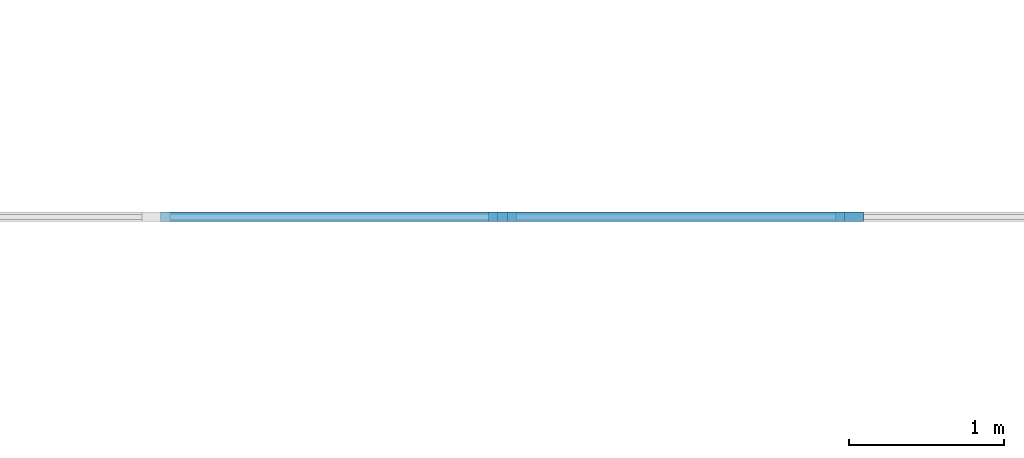
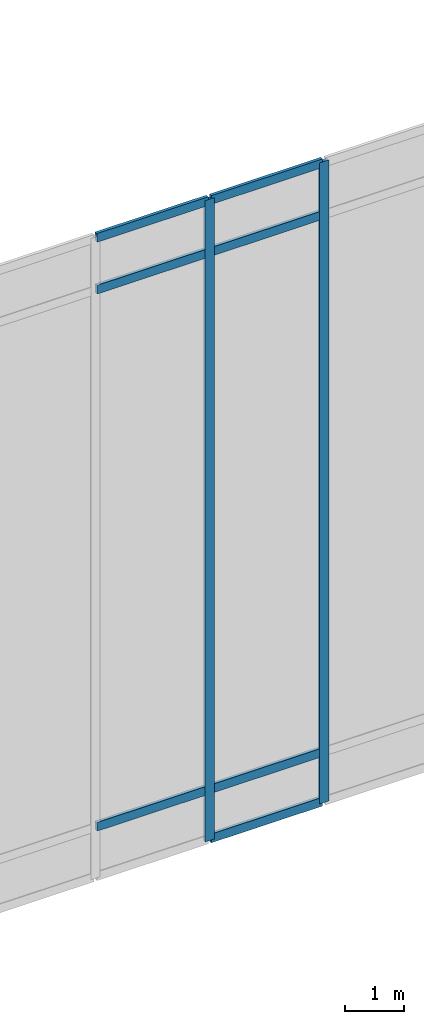
# One storey, part 4 of 42: 9 members, 1 element without a shape of its own.
"""IFC4 building model written with IfcOpenShell, lengths in metres."""

import ifcopenshell
import ifcopenshell.guid

model = None  # the IFC model being written
_history = None  # IfcOwnerHistory: only IFC2X3 demands one
_inside = {}  # id of a spatial element -> (the spatial element, [elements in it])
_under = {}  # id of a project, library or spatial element -> (it, [spatial elements below it])
_declared = {}  # id of a project -> (the project, [libraries it declares])
_typed = {}  # id of a type object -> (the type object, [elements of that type])
_made_of = {}  # id of a material, layer set ... -> (it, [elements and type objects made of it])


def new_model(schema):
    """Start an empty IFC model of exactly this schema.

    Asked for "IFC4X3", IfcOpenShell would pick the latest addendum, in which some entities
    have other attributes; the version numbers below select the first issue.
    IFC2X3 requires an IfcOwnerHistory on every rooted entity: one is made here for all.
    """
    global model, _history
    if schema == "IFC4X3":
        model = ifcopenshell.file(schema_version=(4, 3, 0, 0))
    else:
        model = ifcopenshell.file(schema=schema)
    _inside.clear()
    _under.clear()
    _declared.clear()
    _typed.clear()
    _made_of.clear()
    _history = None
    if model.schema == "IFC2X3":
        org = make("IfcOrganization", Name="unknown")
        user = make(
            "IfcPersonAndOrganization",
            ThePerson=make("IfcPerson", FamilyName="unknown"),
            TheOrganization=org,
        )
        app = make(
            "IfcApplication",
            ApplicationDeveloper=org,
            Version="unknown",
            ApplicationFullName="unknown",
            ApplicationIdentifier="unknown",
        )
        _history = make(
            "IfcOwnerHistory",
            OwningUser=user,
            OwningApplication=app,
            ChangeAction="ADDED",
            CreationDate=0,
        )
    return model


def make(cls, **values):
    """One entity of the class cls with the attributes given. An attribute that is None is left unset."""
    return model.create_entity(
        cls, **{name: value for name, value in values.items() if value is not None}
    )


def rooted(cls, **values):
    """An entity with a GlobalId (a new one), such as an element, a storey or a relation."""
    return make(cls, GlobalId=ifcopenshell.guid.new(), OwnerHistory=_history, **values)


def si_unit(unit_type, name, prefix=None):
    """IfcSIUnit, for example si_unit("LENGTHUNIT", "METRE", prefix="MILLI")."""
    return make("IfcSIUnit", UnitType=unit_type, Prefix=prefix, Name=name)


def derived_unit(unit_type, elements):
    """IfcDerivedUnit: a product of units, each with its exponent."""
    return make(
        "IfcDerivedUnit",
        Elements=[
            make("IfcDerivedUnitElement", Unit=unit, Exponent=power)
            for unit, power in elements
        ],
        UnitType=unit_type,
    )


def assignment(units):
    """IfcUnitAssignment: the units of a project."""
    return None if units is None else make("IfcUnitAssignment", Units=units)


def point(xyz):
    """IfcCartesianPoint."""
    return None if xyz is None else make("IfcCartesianPoint", Coordinates=xyz)


def direction(xyz):
    """IfcDirection."""
    return None if xyz is None else make("IfcDirection", DirectionRatios=xyz)


def frame(location, z_axis=None, x_axis=None):
    """IfcAxis2Placement3D, a coordinate frame: its origin and axes. An axis left out is left unset."""
    return make(
        "IfcAxis2Placement3D",
        Location=point(location),
        Axis=direction(z_axis),
        RefDirection=direction(x_axis),
    )


def frame_2d(location, x_axis=None):
    """IfcAxis2Placement2D, a coordinate frame in the plane: its origin and x axis."""
    return make(
        "IfcAxis2Placement2D", Location=point(location), RefDirection=direction(x_axis)
    )


def origin():
    """The frame at (0, 0, 0) with its axes left unset."""
    return frame((0.0, 0.0, 0.0))


def origin_2d():
    """The frame at (0, 0) in the plane with its x axis left unset."""
    return frame_2d((0.0, 0.0))


def place(relative_to, where):
    """IfcLocalPlacement: puts the frame where relative to a parent placement (None: the world)."""
    return make(
        "IfcLocalPlacement", PlacementRelTo=relative_to, RelativePlacement=where
    )


def context(
    kind, dimensions, precision=None, world=None, true_north=None, identifier=None
):
    """IfcGeometricRepresentationContext, for example the 3D "Model" context."""
    return make(
        "IfcGeometricRepresentationContext",
        ContextIdentifier=identifier,
        ContextType=kind,
        CoordinateSpaceDimension=dimensions,
        Precision=precision,
        WorldCoordinateSystem=world,
        TrueNorth=true_north,
    )


def subcontext(parent, identifier, kind, view, scale=None):
    """IfcGeometricRepresentationSubContext, for example "Body" below "Model"."""
    return make(
        "IfcGeometricRepresentationSubContext",
        ContextIdentifier=identifier,
        ContextType=kind,
        ParentContext=parent,
        TargetScale=scale,
        TargetView=view,
    )


def project(units=None, contexts=None):
    """IfcProject with its units and contexts."""
    return rooted(
        "IfcProject",
        Name="project",
        RepresentationContexts=contexts,
        UnitsInContext=assignment(units),
    )


def spatial(cls, under=None, at=None, **own):
    """A site, building, storey or space (cls), placed at a placement, below another one or the project."""
    s = rooted(cls, ObjectPlacement=at, **own)
    if under is not None:
        _under.setdefault(under.id(), (under, []))[1].append(s)
    return s


def profile(cls, at=None, kind="AREA", **sizes):
    """A parametric profile (cls). Its sizes go by their IFC names, for example OverallWidth=200.0."""
    return make(cls, ProfileType=kind, Position=at, **sizes)


def rectangle(**sizes):
    """IfcRectangleProfileDef."""
    return profile("IfcRectangleProfileDef", **sizes)


def extrude(swept, where, along, depth):
    """IfcExtrudedAreaSolid: the profile swept, set in the frame where, extruded along a direction by depth."""
    return make(
        "IfcExtrudedAreaSolid",
        SweptArea=swept,
        Position=where,
        ExtrudedDirection=direction(along),
        Depth=depth,
    )


def shape(context_of_items, identifier, shape_type, items):
    """IfcShapeRepresentation: the items that make up one representation, for example the "Body"."""
    return make(
        "IfcShapeRepresentation",
        ContextOfItems=context_of_items,
        RepresentationIdentifier=identifier,
        RepresentationType=shape_type,
        Items=items,
    )


def material(Name=None, Category=None):
    """IfcMaterial."""
    return make("IfcMaterial", Name=Name, Category=Category)


def layer(
    of_material, thickness, ventilated=None, Name=None, Category=None, Priority=None
):
    """IfcMaterialLayer: one layer of a wall or slab, of a material (None: an air gap)."""
    return make(
        "IfcMaterialLayer",
        Material=of_material,
        LayerThickness=thickness,
        IsVentilated=ventilated,
        Name=Name,
        Category=Category,
        Priority=Priority,
    )


def layer_set(layers, Name=None):
    """IfcMaterialLayerSet."""
    return make("IfcMaterialLayerSet", MaterialLayers=layers, LayerSetName=Name)


def material_profile(
    of_material, cross_section, Name=None, Category=None, Priority=None
):
    """IfcMaterialProfile: a cross section and its material."""
    return make(
        "IfcMaterialProfile",
        Name=Name,
        Material=of_material,
        Profile=cross_section,
        Priority=Priority,
        Category=Category,
    )


def profile_set(profiles, Name=None, composite=None):
    """IfcMaterialProfileSet."""
    return make(
        "IfcMaterialProfileSet",
        Name=Name,
        MaterialProfiles=profiles,
        CompositeProfile=composite,
    )


def made_of(thing, what):
    """Note that an element or type object is made of a material, layer set ...; save() writes the relation."""
    if what is not None:
        _made_of.setdefault(what.id(), (what, []))[1].append(thing)
    return thing


def type_object(cls, material=None, **own):
    """A type object (cls), such as IfcWallType, which elements share."""
    return made_of(rooted(cls, **own), material)


def element(
    cls,
    number,
    at=None,
    inside=None,
    cuts=None,
    type_object=None,
    material=None,
    context=None,
    identifier="Body",
    shape_type=None,
    held_by="IfcProductDefinitionShape",
    body=None,
    shapes=None,
    **own,
):
    """One element of the class cls, such as IfcWall. Its Tag is "e" and its number.

    at: its placement. inside: the storey or other place that contains it. cuts: it is an
    opening in that element (IfcRelVoidsElement). A single representation is given by context,
    identifier, shape_type and body (its items); several are given by shapes. held_by: the class
    of the entity that holds the representations. save() writes the other relations.
    """
    e = rooted(cls, Tag="e%d" % number, ObjectPlacement=at, **own)
    if body is not None:
        shapes = [shape(context, identifier, shape_type, body)]
    if shapes is not None:
        e.Representation = make(held_by, Representations=shapes)
    if inside is not None:
        _inside.setdefault(inside.id(), (inside, []))[1].append(e)
    if cuts is not None:
        rooted(
            "IfcRelVoidsElement", RelatingBuildingElement=cuts, RelatedOpeningElement=e
        )
    if type_object is not None:
        _typed.setdefault(type_object.id(), (type_object, []))[1].append(e)
    return made_of(e, material)


def aggregate(whole, parts):
    """IfcRelAggregates: a whole, such as a stair, and the parts it consists of."""
    return rooted("IfcRelAggregates", RelatingObject=whole, RelatedObjects=parts)


def save(model, path):
    """Write the relations noted so far, then the file.

    IfcRelAggregates (storeys below a building ...), IfcRelContainedInSpatialStructure (elements
    in a storey), IfcRelDefinesByType, IfcRelAssociatesMaterial and IfcRelDeclares: one each for
    every whole, place, type object, material and project.
    """
    for whole, parts in _under.values():
        aggregate(whole, parts)
    for where, things in _inside.values():
        rooted(
            "IfcRelContainedInSpatialStructure",
            RelatedElements=things,
            RelatingStructure=where,
        )
    for kind, things in _typed.values():
        rooted("IfcRelDefinesByType", RelatedObjects=things, RelatingType=kind)
    for what, things in _made_of.values():
        rooted("IfcRelAssociatesMaterial", RelatedObjects=things, RelatingMaterial=what)
    for by, libraries in _declared.values():
        rooted("IfcRelDeclares", RelatingContext=by, RelatedDefinitions=libraries)
    model.write(path)


model = new_model("IFC4")

# Units and contexts
model_context = context("Model", 3, precision=1e-05, world=origin(), true_north=direction((0.0, 1.0)))
body_context = subcontext(model_context, "Body", "Model", "MODEL_VIEW")
ifc_project = project(units=[si_unit("LENGTHUNIT", "METRE"), si_unit("AREAUNIT", "SQUARE_METRE"), si_unit("VOLUMEUNIT", "CUBIC_METRE"), si_unit("PLANEANGLEUNIT", "RADIAN"), si_unit("MASSUNIT", "GRAM", prefix="KILO"), derived_unit("THERMALTRANSMITTANCEUNIT", [(si_unit("MASSUNIT", "GRAM", prefix="KILO"), 1), (si_unit("TIMEUNIT", "SECOND"), -3), (si_unit("THERMODYNAMICTEMPERATUREUNIT", "KELVIN"), -1)])], contexts=[model_context])

# Site, building, storey
site_placement = place(None, origin())
site = spatial("IfcSite", under=ifc_project, at=site_placement, CompositionType="ELEMENT")
building_placement = place(site_placement, origin())
building = spatial("IfcBuilding", under=site, at=building_placement, Name="Valcora Ridge Arena", CompositionType="ELEMENT")
storey_placement = place(building_placement, frame((0.0, 0.0, 26.39990234375)))
storey = spatial("IfcBuildingStorey", under=building, at=storey_placement, Name="L05", CompositionType="ELEMENT", Elevation=26.39990234375)

# Curtain wall, members
ifc_material = material(Name="Anodised dark bronze architectural aluminium 6063-T6", Category="aluminium")
ifc_layer = layer(ifc_material, 0.179931640625, Name="Anodised dark bronze architectural aluminium 6063-T6")
ifc_layer_set = layer_set([ifc_layer], Name="Anodised dark bronze architectural aluminium 6063-T6")
curtain_wall_type = type_object("IfcCurtainWallType", Name="TY-CURTAINWALL-CW-V1-TYMPS-134X132", PredefinedType="NOTDEFINED", material=ifc_layer_set)
curtain_wall_placement = place(storey_placement, origin())
curtain_wall = element("IfcCurtainWall", 1, at=curtain_wall_placement, inside=storey, type_object=curtain_wall_type, Name="CW-V1-TYMPS-134X132 CW-0174", PredefinedType="NOTDEFINED")
ifc_material_profile_1 = material_profile(ifc_material, rectangle(XDim=0.06005859375, YDim=0.179931640625, at=origin_2d()), Name="ALU MULLION 60x180")
ifc_profile_set_1 = profile_set([ifc_material_profile_1], Name="Anodised dark bronze architectural aluminium 6063-T6")
member_type_1 = type_object("IfcMemberType", Name="TY-MEM-CWM-60x180", PredefinedType="MULLION", material=ifc_profile_set_1)
member_1_placement = place(storey_placement, frame((61.533203125, 20.219970703125, 0.0), z_axis=(0.0, 0.0, 1.0), x_axis=(0.0, 1.0, 0.0)))
member_1 = element("IfcMember", 2, at=member_1_placement, type_object=member_type_1, Name="CW-0174/CWM-60x180/M04", PredefinedType="MULLION", context=body_context, shape_type="SweptSolid", body=[
    extrude(rectangle(XDim=0.06005859375, YDim=0.179931640625, at=origin_2d()), origin(), (0.0, 0.0, 1.0), 13.239990234375),
])
member_2_placement = place(storey_placement, frame((63.7666015625, 20.219970703125, 0.0), z_axis=(0.0, 0.0, 1.0), x_axis=(0.0, 1.0, 0.0)))
member_2 = element("IfcMember", 3, at=member_2_placement, type_object=member_type_1, Name="CW-0174/CWM-60x180/M05", PredefinedType="MULLION", context=body_context, shape_type="SweptSolid", body=[
    extrude(rectangle(XDim=0.06005859375, YDim=0.179931640625, at=origin_2d()), origin(), (0.0, 0.0, 1.0), 13.239990234375),
])
ifc_material_profile_2 = material_profile(ifc_material, rectangle(XDim=0.06005859375, YDim=0.179931640625, at=origin_2d()), Name="ALU TRANSOM 60x180")
ifc_profile_set_2 = profile_set([ifc_material_profile_2], Name="Anodised dark bronze architectural aluminium 6063-T6")
member_type_2 = type_object("IfcMemberType", Name="TY-MEM-CWT-60x180", PredefinedType="USERDEFINED", material=ifc_profile_set_2)
member_3_placement = place(storey_placement, frame((59.330078125, 20.219970703125, 1.050048828125), z_axis=(1.0, 0.0, 0.0), x_axis=(0.0, 1.0, 0.0)))
member_3 = element("IfcMember", 4, at=member_3_placement, type_object=member_type_2, Name="CW-0174/CWT-60x180/T03-01", ObjectType="TRANSOM", PredefinedType="USERDEFINED", context=body_context, shape_type="SweptSolid", body=[
    extrude(rectangle(XDim=0.06005859375, YDim=0.179931640625, at=origin_2d()), origin(), (0.0, 0.0, 1.0), 2.1728515625),
])
member_4_placement = place(storey_placement, frame((59.330078125, 20.219970703125, 12.139892578125), z_axis=(1.0, 0.0, 0.0), x_axis=(0.0, 1.0, 0.0)))
member_4 = element("IfcMember", 5, at=member_4_placement, type_object=member_type_2, Name="CW-0174/CWT-60x180/T03-02", ObjectType="TRANSOM", PredefinedType="USERDEFINED", context=body_context, shape_type="SweptSolid", body=[
    extrude(rectangle(XDim=0.06005859375, YDim=0.179931640625, at=origin_2d()), origin(), (0.0, 0.0, 1.0), 2.1728515625),
])
member_5_placement = place(storey_placement, frame((59.330078125, 20.219970703125, 13.2099609375), z_axis=(1.0, 0.0, 0.0), x_axis=(0.0, 1.0, 0.0)))
member_5 = element("IfcMember", 6, at=member_5_placement, type_object=member_type_2, Name="CW-0174/CWT-60x180/T03-03", ObjectType="TRANSOM", PredefinedType="USERDEFINED", context=body_context, shape_type="SweptSolid", body=[
    extrude(rectangle(XDim=0.06005859375, YDim=0.179931640625, at=origin_2d()), origin(), (0.0, 0.0, 1.0), 2.1728515625),
])
member_6_placement = place(storey_placement, frame((61.56298828125, 20.219970703125, 0.030029296875), z_axis=(1.0, 0.0, 0.0), x_axis=(0.0, 1.0, 0.0)))
member_6 = element("IfcMember", 7, at=member_6_placement, type_object=member_type_2, Name="CW-0174/CWT-60x180/T04-00", ObjectType="TRANSOM", PredefinedType="USERDEFINED", context=body_context, shape_type="SweptSolid", body=[
    extrude(rectangle(XDim=0.06005859375, YDim=0.179931640625, at=origin_2d()), origin(), (0.0, 0.0, 1.0), 2.174072265625),
])
member_7_placement = place(storey_placement, frame((61.56298828125, 20.219970703125, 1.050048828125), z_axis=(1.0, 0.0, 0.0), x_axis=(0.0, 1.0, 0.0)))
member_7 = element("IfcMember", 8, at=member_7_placement, type_object=member_type_2, Name="CW-0174/CWT-60x180/T04-01", ObjectType="TRANSOM", PredefinedType="USERDEFINED", context=body_context, shape_type="SweptSolid", body=[
    extrude(rectangle(XDim=0.06005859375, YDim=0.179931640625, at=origin_2d()), origin(), (0.0, 0.0, 1.0), 2.174072265625),
])
member_8_placement = place(storey_placement, frame((61.56298828125, 20.219970703125, 12.139892578125), z_axis=(1.0, 0.0, 0.0), x_axis=(0.0, 1.0, 0.0)))
member_8 = element("IfcMember", 9, at=member_8_placement, type_object=member_type_2, Name="CW-0174/CWT-60x180/T04-02", ObjectType="TRANSOM", PredefinedType="USERDEFINED", context=body_context, shape_type="SweptSolid", body=[
    extrude(rectangle(XDim=0.06005859375, YDim=0.179931640625, at=origin_2d()), origin(), (0.0, 0.0, 1.0), 2.174072265625),
])
member_9_placement = place(storey_placement, frame((61.56298828125, 20.219970703125, 13.2099609375), z_axis=(1.0, 0.0, 0.0), x_axis=(0.0, 1.0, 0.0)))
member_9 = element("IfcMember", 10, at=member_9_placement, type_object=member_type_2, Name="CW-0174/CWT-60x180/T04-03", ObjectType="TRANSOM", PredefinedType="USERDEFINED", context=body_context, shape_type="SweptSolid", body=[
    extrude(rectangle(XDim=0.06005859375, YDim=0.179931640625, at=origin_2d()), origin(), (0.0, 0.0, 1.0), 2.174072265625),
])
aggregate(curtain_wall, [member_1, member_2, member_3, member_4, member_5, member_6, member_7, member_8, member_9])

save(model, "model.ifc")
